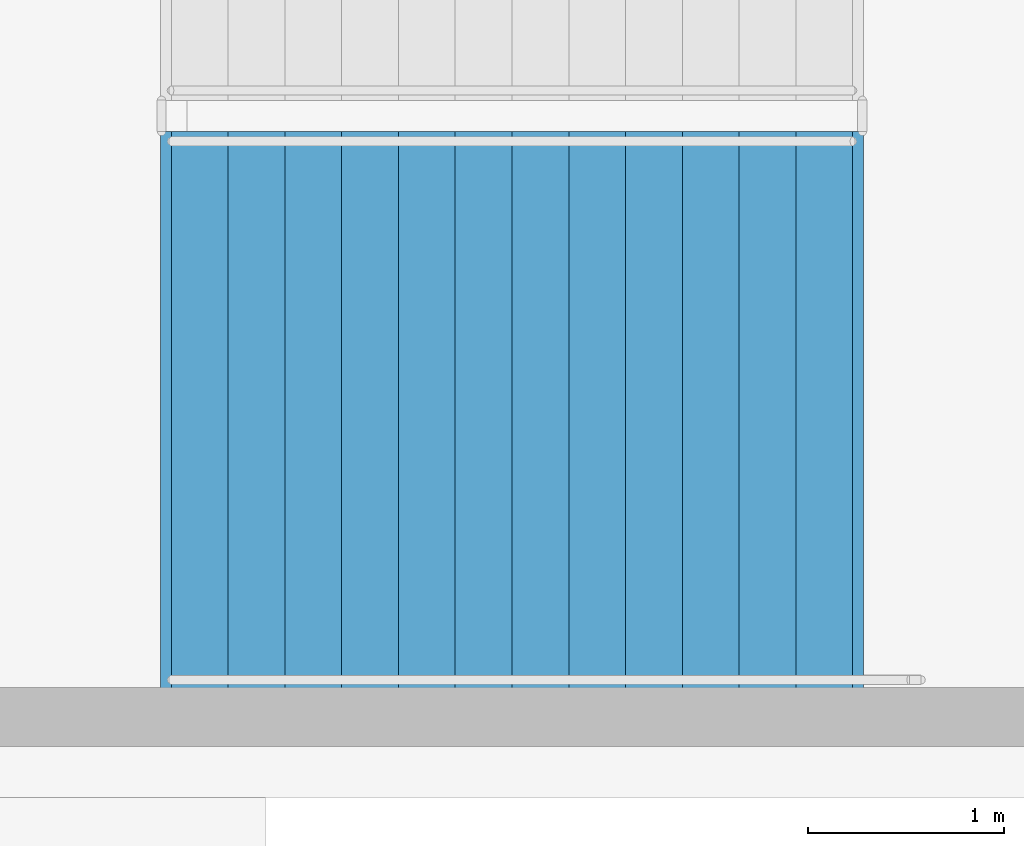
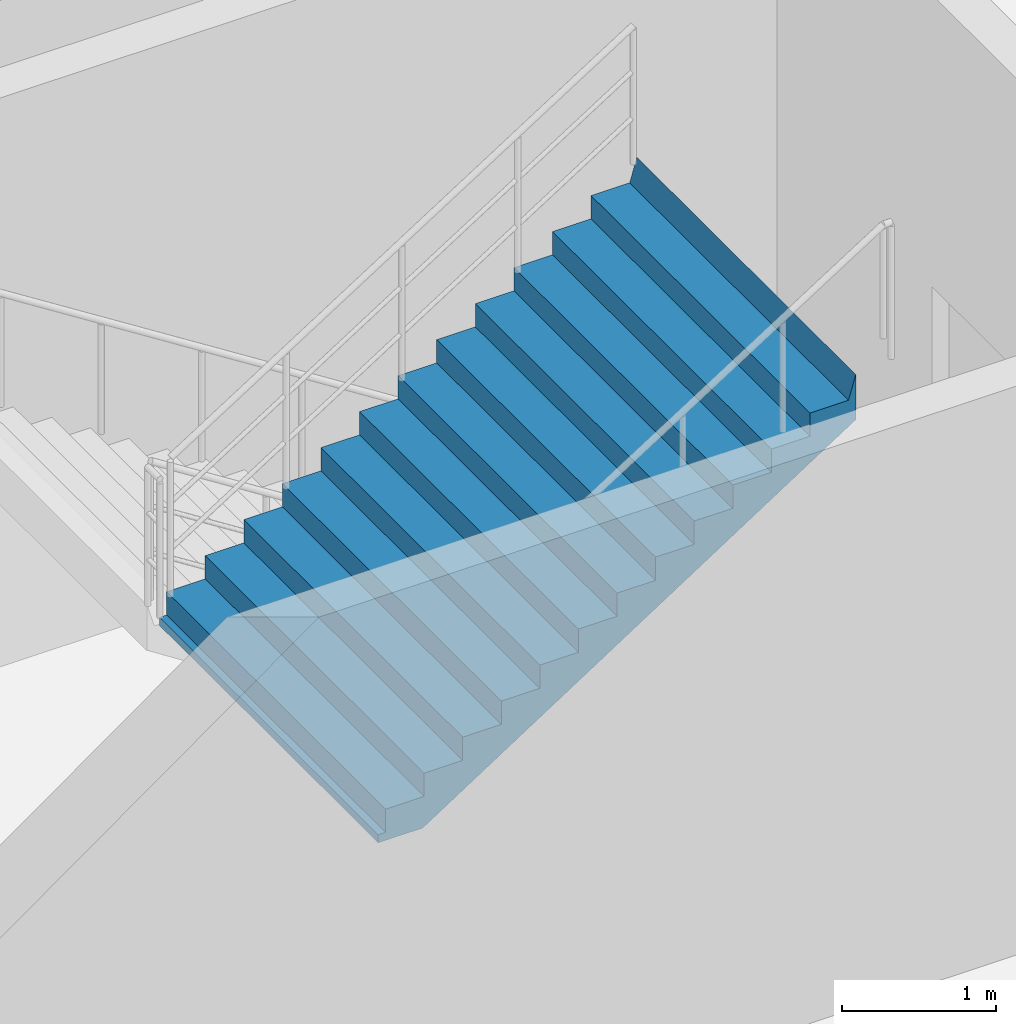
# One storey, part 56 of 68: 1 stair flight, 1 element without a shape of its own.
"""IFC4 building model written with IfcOpenShell, lengths in metres."""

from ifc_helpers import new_model, si_unit, direction, frame, origin, place, context, subcontext, project, spatial, polyline, outline, extrude, material, type_object, element, aggregate, save


model = new_model("IFC4")

# Units and contexts
model_context = context("Model", 3, precision=1e-05, world=origin(), true_north=direction((0.0, 1.0)))
body_context = subcontext(model_context, "Body", "Model", "MODEL_VIEW")
ifc_project = project(units=[si_unit("LENGTHUNIT", "METRE"), si_unit("AREAUNIT", "SQUARE_METRE"), si_unit("VOLUMEUNIT", "CUBIC_METRE"), si_unit("PLANEANGLEUNIT", "RADIAN"), si_unit("MASSUNIT", "GRAM", prefix="KILO")], contexts=[model_context])

# Site, building, storey
site_placement = place(None, origin())
site = spatial("IfcSite", under=ifc_project, at=site_placement, CompositionType="ELEMENT")
building_placement = place(site_placement, origin())
building = spatial("IfcBuilding", under=site, at=building_placement, Name="Cinderbank Siding Concert Hall", CompositionType="ELEMENT")
storey_placement = place(building_placement, frame((0.0, 0.0, -4.800048828125)))
storey = spatial("IfcBuildingStorey", under=building, at=storey_placement, Name="B1", CompositionType="ELEMENT", Elevation=-4.800048828125)

# Stair, stair flight
ifc_material = material(Name="Reinforced concrete AS 3600 N50 (50 MPa)", Category="concrete")
stair_type = type_object("IfcStairType", Name="STR-J Dogleg Exit Stair 2850mm", PredefinedType="HALF_TURN_STAIR", material=ifc_material)
stair_placement = place(storey_placement, origin())
stair = element("IfcStair", 1, at=stair_placement, inside=storey, type_object=stair_type, Name="B1 East Link South Exit Stair ST-12", PredefinedType="HALF_TURN_STAIR")
stair_flight_type = type_object("IfcStairFlightType", Name="SFL-J Concrete Stair Flight 2850mm", PredefinedType="STRAIGHT", material=ifc_material)
stair_flight_placement = place(storey_placement, frame((157.3701171875, 60.27490234375, 2.400146484375), z_axis=(0.0, 0.0, 1.0), x_axis=(1.0, 0.0, 0.0)))
stair_flight = element("IfcStairFlight", 2, at=stair_flight_placement, type_object=stair_flight_type, Name="ST-12 flight 2", NumberOfRisers=13, NumberOfTreads=12, PredefinedType="STRAIGHT", RiserHeight=0.184615385, TreadLength=0.29, context=body_context, shape_type="SweptSolid", body=[
    extrude(outline(polyline([(0.0, 0.0), (0.0, 0.1845703125), (0.2900390625, 0.1845703125), (0.2900390625, 0.369140625), (0.580078125, 0.369140625), (0.580078125, 0.553955078125), (0.8701171875, 0.553955078125), (0.8701171875, 0.738525390625), (1.159912109375, 0.738525390625), (1.159912109375, 0.923095703125), (1.449951171875, 0.923095703125), (1.449951171875, 1.107666015625), (1.739990234375, 1.107666015625), (1.739990234375, 1.292236328125), (2.030029296875, 1.292236328125), (2.030029296875, 1.476806640625), (2.320068359375, 1.476806640625), (2.320068359375, 1.66162109375), (2.610107421875, 1.66162109375), (2.610107421875, 1.84619140625), (2.89990234375, 1.84619140625), (2.89990234375, 2.03076171875), (3.18994140625, 2.03076171875), (3.18994140625, 2.21533203125), (3.47998046875, 2.21533203125), (3.534912109375, 2.39990234375), (3.534912109375, 2.03759765625), (3.53466796875, 2.037841796875), (3.53466796875, 2.0380859375), (3.53466796875, 2.038330078125), (3.53466796875, 2.03857421875), (3.53466796875, 2.038818359375), (3.53466796875, 2.0390625), (3.53466796875, 2.039306640625), (3.53466796875, 2.03955078125), (3.53466796875, 2.039794921875), (3.53466796875, 2.0400390625), (3.53466796875, 2.040283203125), (3.53466796875, 2.04052734375), (3.534423828125, 2.04052734375), (3.534423828125, 2.040283203125), (3.534423828125, 2.0400390625), (3.534423828125, 2.039794921875), (3.534423828125, 2.03955078125), (3.534423828125, 2.039306640625), (3.534423828125, 2.0390625), (3.534423828125, 2.038818359375), (3.534423828125, 2.03857421875), (3.534423828125, 2.038330078125), (3.534423828125, 2.0380859375), (3.534423828125, 2.037841796875), (3.534423828125, 2.03759765625), (3.5341796875, 2.037841796875), (3.5341796875, 2.0380859375), (3.5341796875, 2.038330078125), (3.5341796875, 2.03857421875), (3.5341796875, 2.038818359375), (3.5341796875, 2.0390625), (3.5341796875, 2.039306640625), (3.5341796875, 2.03955078125), (3.5341796875, 2.039794921875), (3.5341796875, 2.0400390625), (3.5341796875, 2.040283203125), (3.5341796875, 2.04052734375), (3.533935546875, 2.04052734375), (3.533935546875, 2.040283203125), (3.533935546875, 2.0400390625), (3.533935546875, 2.039794921875), (3.533935546875, 2.03955078125), (3.533935546875, 2.039306640625), (3.533935546875, 2.0390625), (3.533935546875, 2.038818359375), (3.533935546875, 2.03857421875), (3.533935546875, 2.038330078125), (3.533935546875, 2.0380859375), (3.533935546875, 2.037841796875), (3.533935546875, 2.03759765625), (3.53369140625, 2.037841796875), (3.53369140625, 2.0380859375), (3.53369140625, 2.038330078125), (3.53369140625, 2.03857421875), (3.53369140625, 2.038818359375), (3.53369140625, 2.0390625), (3.53369140625, 2.039306640625), (3.53369140625, 2.03955078125), (3.53369140625, 2.039794921875), (3.53369140625, 2.0400390625), (3.53369140625, 2.040283203125), (3.53369140625, 2.04052734375), (3.533447265625, 2.04052734375), (3.533447265625, 2.040283203125), (3.533447265625, 2.0400390625), (3.533447265625, 2.039794921875), (3.533447265625, 2.03955078125), (3.533447265625, 2.039306640625), (3.533447265625, 2.0390625), (3.533447265625, 2.038818359375), (3.533447265625, 2.03857421875), (3.533447265625, 2.038330078125), (3.533447265625, 2.0380859375), (3.533447265625, 2.037841796875), (3.533447265625, 2.03759765625), (3.533203125, 2.037841796875), (3.533203125, 2.0380859375), (3.533203125, 2.038330078125), (3.533203125, 2.03857421875), (3.533203125, 2.038818359375), (3.533203125, 2.0390625), (3.533203125, 2.039306640625), (3.533203125, 2.03955078125), (3.533203125, 2.039794921875), (3.533203125, 2.0400390625), (3.533203125, 2.040283203125), (3.533203125, 2.04052734375), (3.532958984375, 2.04052734375), (3.532958984375, 2.040283203125), (3.532958984375, 2.0400390625), (3.532958984375, 2.039794921875), (3.532958984375, 2.03955078125), (3.532958984375, 2.039306640625), (3.532958984375, 2.0390625), (3.532958984375, 2.038818359375), (3.532958984375, 2.03857421875), (3.532958984375, 2.038330078125), (3.532958984375, 2.0380859375), (3.532958984375, 2.037841796875), (3.532958984375, 2.03759765625), (3.53271484375, 2.037841796875), (3.53271484375, 2.0380859375), (3.53271484375, 2.038330078125), (3.53271484375, 2.03857421875), (3.53271484375, 2.038818359375), (3.53271484375, 2.0390625), (3.53271484375, 2.039306640625), (3.53271484375, 2.03955078125), (3.53271484375, 2.039794921875), (3.53271484375, 2.0400390625), (3.53271484375, 2.040283203125), (3.53271484375, 2.04052734375), (3.532470703125, 2.04052734375), (3.532470703125, 2.040283203125), (3.532470703125, 2.0400390625), (3.532470703125, 2.039794921875), (3.532470703125, 2.03955078125), (3.532470703125, 2.039306640625), (3.532470703125, 2.0390625), (3.532470703125, 2.038818359375), (3.532470703125, 2.03857421875), (3.532470703125, 2.038330078125), (3.532470703125, 2.0380859375), (3.532470703125, 2.037841796875), (3.532470703125, 2.03759765625), (3.5322265625, 2.037841796875), (3.5322265625, 2.0380859375), (3.5322265625, 2.038330078125), (3.5322265625, 2.03857421875), (3.5322265625, 2.038818359375), (3.5322265625, 2.0390625), (3.5322265625, 2.039306640625), (3.5322265625, 2.03955078125), (3.5322265625, 2.039794921875), (3.5322265625, 2.0400390625), (3.5322265625, 2.040283203125), (3.5322265625, 2.04052734375), (3.531982421875, 2.04052734375), (3.531982421875, 2.040283203125), (3.531982421875, 2.0400390625), (3.531982421875, 2.039794921875), (3.531982421875, 2.03955078125), (3.531982421875, 2.039306640625), (3.531982421875, 2.0390625), (3.531982421875, 2.038818359375), (3.531982421875, 2.03857421875), (3.531982421875, 2.038330078125), (3.531982421875, 2.0380859375), (3.531982421875, 2.037841796875), (3.531982421875, 2.03759765625), (3.53173828125, 2.037841796875), (3.53173828125, 2.0380859375), (3.53173828125, 2.038330078125), (3.53173828125, 2.03857421875), (3.53173828125, 2.038818359375), (3.53173828125, 2.0390625), (3.53173828125, 2.039306640625), (3.53173828125, 2.03955078125), (3.53173828125, 2.039794921875), (3.53173828125, 2.0400390625), (3.53173828125, 2.040283203125), (3.53173828125, 2.04052734375), (3.531494140625, 2.04052734375), (3.531494140625, 2.040283203125), (3.531494140625, 2.0400390625), (3.531494140625, 2.039794921875), (3.531494140625, 2.03955078125), (3.531494140625, 2.039306640625), (3.531494140625, 2.0390625), (3.531494140625, 2.038818359375), (3.531494140625, 2.03857421875), (3.531494140625, 2.038330078125), (3.531494140625, 2.0380859375), (3.531494140625, 2.037841796875), (3.531494140625, 2.03759765625), (3.53125, 2.037841796875), (3.53125, 2.0380859375), (3.53125, 2.038330078125), (3.53125, 2.03857421875), (3.53125, 2.038818359375), (3.53125, 2.0390625), (3.53125, 2.039306640625), (3.53125, 2.03955078125), (3.53125, 2.039794921875), (3.53125, 2.0400390625), (3.53125, 2.040283203125), (3.53125, 2.04052734375), (3.531005859375, 2.04052734375), (3.531005859375, 2.040283203125), (3.531005859375, 2.0400390625), (3.531005859375, 2.039794921875), (3.531005859375, 2.03955078125), (3.531005859375, 2.039306640625), (3.531005859375, 2.0390625), (3.531005859375, 2.038818359375), (3.531005859375, 2.03857421875), (3.531005859375, 2.038330078125), (3.531005859375, 2.0380859375), (3.531005859375, 2.037841796875), (3.531005859375, 2.03759765625), (3.53076171875, 2.037841796875), (3.53076171875, 2.0380859375), (3.53076171875, 2.038330078125), (3.53076171875, 2.03857421875), (3.53076171875, 2.038818359375), (3.53076171875, 2.0390625), (3.53076171875, 2.039306640625), (3.53076171875, 2.03955078125), (3.53076171875, 2.039794921875), (3.53076171875, 2.0400390625), (3.53076171875, 2.040283203125), (3.53076171875, 2.04052734375), (3.530517578125, 2.04052734375), (3.530517578125, 2.040283203125), (3.530517578125, 2.0400390625), (3.530517578125, 2.039794921875), (3.530517578125, 2.03955078125), (3.530517578125, 2.039306640625), (3.530517578125, 2.0390625), (3.530517578125, 2.038818359375), (3.530517578125, 2.03857421875), (3.530517578125, 2.038330078125), (3.530517578125, 2.0380859375), (3.530517578125, 2.037841796875), (3.530517578125, 2.03759765625), (3.5302734375, 2.037841796875), (3.5302734375, 2.0380859375), (3.5302734375, 2.038330078125), (3.5302734375, 2.03857421875), (3.5302734375, 2.038818359375), (3.5302734375, 2.0390625), (3.5302734375, 2.039306640625), (3.5302734375, 2.03955078125), (3.5302734375, 2.039794921875), (3.5302734375, 2.0400390625), (3.5302734375, 2.040283203125), (3.5302734375, 2.04052734375), (3.530029296875, 2.04052734375), (3.530029296875, 2.040283203125), (3.530029296875, 2.0400390625), (3.530029296875, 2.039794921875), (3.530029296875, 2.03955078125), (3.530029296875, 2.039306640625), (3.530029296875, 2.0390625), (3.530029296875, 2.038818359375), (3.530029296875, 2.03857421875), (3.530029296875, 2.038330078125), (3.530029296875, 2.0380859375), (3.530029296875, 2.037841796875), (3.530029296875, 2.03759765625), (3.52978515625, 2.037841796875), (3.52978515625, 2.0380859375), (3.52978515625, 2.038330078125), (3.52978515625, 2.03857421875), (3.52978515625, 2.038818359375), (3.52978515625, 2.0390625), (3.52978515625, 2.039306640625), (3.52978515625, 2.03955078125), (3.52978515625, 2.039794921875), (3.52978515625, 2.0400390625), (3.52978515625, 2.040283203125), (3.52978515625, 2.04052734375), (3.529541015625, 2.04052734375), (3.529541015625, 2.040283203125), (3.529541015625, 2.0400390625), (3.529541015625, 2.039794921875), (3.529541015625, 2.03955078125), (3.529541015625, 2.039306640625), (3.529541015625, 2.0390625), (3.529541015625, 2.038818359375), (3.529541015625, 2.03857421875), (3.529541015625, 2.038330078125), (3.529541015625, 2.0380859375), (3.529541015625, 2.037841796875), (3.529541015625, 2.03759765625), (3.529296875, 2.037841796875), (3.529296875, 2.0380859375), (3.529296875, 2.038330078125), (3.529296875, 2.03857421875), (3.529296875, 2.038818359375), (3.529296875, 2.0390625), (3.529296875, 2.039306640625), (3.529296875, 2.03955078125), (3.529296875, 2.039794921875), (3.529296875, 2.0400390625), (3.529296875, 2.040283203125), (3.529296875, 2.04052734375), (3.529052734375, 2.04052734375), (3.529052734375, 2.040283203125), (3.529052734375, 2.0400390625), (3.529052734375, 2.039794921875), (3.529052734375, 2.03955078125), (3.529052734375, 2.039306640625), (3.529052734375, 2.0390625), (3.529052734375, 2.038818359375), (3.529052734375, 2.03857421875), (3.529052734375, 2.038330078125), (3.529052734375, 2.0380859375), (3.529052734375, 2.037841796875), (3.529052734375, 2.03759765625), (3.52880859375, 2.037841796875), (3.52880859375, 2.0380859375), (3.52880859375, 2.038330078125), (3.52880859375, 2.03857421875), (3.52880859375, 2.038818359375), (3.52880859375, 2.0390625), (3.52880859375, 2.039306640625), (3.52880859375, 2.03955078125), (3.52880859375, 2.039794921875), (3.52880859375, 2.0400390625), (3.52880859375, 2.040283203125), (3.52880859375, 2.04052734375), (3.528564453125, 2.04052734375), (3.528564453125, 2.040283203125), (3.528564453125, 2.0400390625), (3.528564453125, 2.039794921875), (3.528564453125, 2.03955078125), (3.528564453125, 2.039306640625), (3.528564453125, 2.0390625), (3.528564453125, 2.038818359375), (3.528564453125, 2.03857421875), (3.528564453125, 2.038330078125), (3.528564453125, 2.0380859375), (3.528564453125, 2.037841796875), (3.528564453125, 2.03759765625), (0.279052734375, -0.06396484375), (-0.048583984375, -0.063720703125), (-0.048583984375, -0.0634765625), (-0.048583984375, -0.063232421875), (-0.048583984375, -0.06298828125), (-0.048583984375, -0.062744140625), (-0.048583984375, -0.0625), (-0.048583984375, -0.062255859375), (-0.048583984375, -0.06201171875), (-0.048583984375, -0.061767578125), (-0.048583984375, -0.0615234375), (-0.048583984375, -0.061279296875), (-0.048583984375, -0.06103515625), (-0.048828125, -0.06103515625), (-0.048828125, -0.061279296875), (-0.048828125, -0.0615234375), (-0.048828125, -0.061767578125), (-0.048828125, -0.06201171875), (-0.048828125, -0.062255859375), (-0.048828125, -0.0625), (-0.048828125, -0.062744140625), (-0.048828125, -0.06298828125), (-0.048828125, -0.063232421875), (-0.048828125, -0.0634765625), (-0.048828125, -0.063720703125), (-0.048828125, -0.06396484375), (-0.049072265625, -0.063720703125), (-0.049072265625, -0.0634765625), (-0.049072265625, -0.063232421875), (-0.049072265625, -0.06298828125), (-0.049072265625, -0.062744140625), (-0.049072265625, -0.0625), (-0.049072265625, -0.062255859375), (-0.049072265625, -0.06201171875), (-0.049072265625, -0.061767578125), (-0.049072265625, -0.0615234375), (-0.049072265625, -0.061279296875), (-0.049072265625, -0.06103515625), (-0.04931640625, -0.06103515625), (-0.04931640625, -0.061279296875), (-0.04931640625, -0.0615234375), (-0.04931640625, -0.061767578125), (-0.04931640625, -0.06201171875), (-0.04931640625, -0.062255859375), (-0.04931640625, -0.0625), (-0.04931640625, -0.062744140625), (-0.04931640625, -0.06298828125), (-0.04931640625, -0.063232421875), (-0.04931640625, -0.0634765625), (-0.04931640625, -0.063720703125), (-0.04931640625, -0.06396484375), (-0.049560546875, -0.063720703125), (-0.049560546875, -0.0634765625), (-0.049560546875, -0.063232421875), (-0.049560546875, -0.06298828125), (-0.049560546875, -0.062744140625), (-0.049560546875, -0.0625), (-0.049560546875, -0.062255859375), (-0.049560546875, -0.06201171875), (-0.049560546875, -0.061767578125), (-0.049560546875, -0.0615234375), (-0.049560546875, -0.061279296875), (-0.049560546875, -0.06103515625), (-0.0498046875, -0.06103515625), (-0.0498046875, -0.061279296875), (-0.0498046875, -0.0615234375), (-0.0498046875, -0.061767578125), (-0.0498046875, -0.06201171875), (-0.0498046875, -0.062255859375), (-0.0498046875, -0.0625), (-0.0498046875, -0.062744140625), (-0.0498046875, -0.06298828125), (-0.0498046875, -0.063232421875), (-0.0498046875, -0.0634765625), (-0.0498046875, -0.063720703125), (-0.0498046875, -0.06396484375), (-0.050048828125, -0.063720703125), (-0.050048828125, -0.0634765625), (-0.050048828125, -0.063232421875), (-0.050048828125, -0.06298828125), (-0.050048828125, -0.062744140625), (-0.050048828125, -0.0625), (-0.050048828125, -0.062255859375), (-0.050048828125, -0.06201171875), (-0.050048828125, -0.061767578125), (-0.050048828125, -0.0615234375), (-0.050048828125, -0.061279296875), (-0.050048828125, -0.06103515625), (-0.05029296875, -0.06103515625), (-0.05029296875, -0.061279296875), (-0.05029296875, -0.0615234375), (-0.05029296875, -0.061767578125), (-0.05029296875, -0.06201171875), (-0.05029296875, -0.062255859375), (-0.05029296875, -0.0625), (-0.05029296875, -0.062744140625), (-0.05029296875, -0.06298828125), (-0.05029296875, -0.063232421875), (-0.05029296875, -0.0634765625), (-0.05029296875, -0.063720703125), (-0.05029296875, -0.06396484375), (-0.050537109375, -0.063720703125), (-0.050537109375, -0.0634765625), (-0.050537109375, -0.063232421875), (-0.050537109375, -0.06298828125), (-0.050537109375, -0.062744140625), (-0.050537109375, -0.0625), (-0.050537109375, -0.062255859375), (-0.050537109375, -0.06201171875), (-0.050537109375, -0.061767578125), (-0.050537109375, -0.0615234375), (-0.050537109375, -0.061279296875), (-0.050537109375, -0.06103515625), (-0.05078125, -0.06103515625), (-0.05078125, -0.061279296875), (-0.05078125, -0.0615234375), (-0.05078125, -0.061767578125), (-0.05078125, -0.06201171875), (-0.05078125, -0.062255859375), (-0.05078125, -0.0625), (-0.05078125, -0.062744140625), (-0.05078125, -0.06298828125), (-0.05078125, -0.063232421875), (-0.05078125, -0.0634765625), (-0.05078125, -0.063720703125), (-0.05078125, -0.06396484375), (-0.051025390625, -0.063720703125), (-0.051025390625, -0.0634765625), (-0.051025390625, -0.063232421875), (-0.051025390625, -0.06298828125), (-0.051025390625, -0.062744140625), (-0.051025390625, -0.0625), (-0.051025390625, -0.062255859375), (-0.051025390625, -0.06201171875), (-0.051025390625, -0.061767578125), (-0.051025390625, -0.0615234375), (-0.051025390625, -0.061279296875), (-0.051025390625, -0.06103515625), (-0.05126953125, -0.06103515625), (-0.05126953125, -0.061279296875), (-0.05126953125, -0.0615234375), (-0.05126953125, -0.061767578125), (-0.05126953125, -0.06201171875), (-0.05126953125, -0.062255859375), (-0.05126953125, -0.0625), (-0.05126953125, -0.062744140625), (-0.05126953125, -0.06298828125), (-0.05126953125, -0.063232421875), (-0.05126953125, -0.0634765625), (-0.05126953125, -0.063720703125), (-0.05126953125, -0.06396484375), (-0.051513671875, -0.063720703125), (-0.051513671875, -0.0634765625), (-0.051513671875, -0.063232421875), (-0.051513671875, -0.06298828125), (-0.051513671875, -0.062744140625), (-0.051513671875, -0.0625), (-0.051513671875, -0.062255859375), (-0.051513671875, -0.06201171875), (-0.051513671875, -0.061767578125), (-0.051513671875, -0.0615234375), (-0.051513671875, -0.061279296875), (-0.051513671875, -0.06103515625), (-0.0517578125, -0.06103515625), (-0.0517578125, -0.061279296875), (-0.0517578125, -0.0615234375), (-0.0517578125, -0.061767578125), (-0.0517578125, -0.06201171875), (-0.0517578125, -0.062255859375), (-0.0517578125, -0.0625), (-0.0517578125, -0.062744140625), (-0.0517578125, -0.06298828125), (-0.0517578125, -0.063232421875), (-0.0517578125, -0.0634765625), (-0.0517578125, -0.063720703125), (-0.0517578125, -0.06396484375), (-0.052001953125, -0.063720703125), (-0.052001953125, -0.0634765625), (-0.052001953125, -0.063232421875), (-0.052001953125, -0.06298828125), (-0.052001953125, -0.062744140625), (-0.052001953125, -0.0625), (-0.052001953125, -0.062255859375), (-0.052001953125, -0.06201171875), (-0.052001953125, -0.061767578125), (-0.052001953125, -0.0615234375), (-0.052001953125, -0.061279296875), (-0.052001953125, -0.06103515625), (-0.05224609375, -0.06103515625), (-0.05224609375, -0.061279296875), (-0.05224609375, -0.0615234375), (-0.05224609375, -0.061767578125), (-0.05224609375, -0.06201171875), (-0.05224609375, -0.062255859375), (-0.05224609375, -0.0625), (-0.05224609375, -0.062744140625), (-0.05224609375, -0.06298828125), (-0.05224609375, -0.063232421875), (-0.05224609375, -0.0634765625), (-0.05224609375, -0.063720703125), (-0.05224609375, -0.06396484375), (-0.052490234375, -0.063720703125), (-0.052490234375, -0.0634765625), (-0.052490234375, -0.063232421875), (-0.052490234375, -0.06298828125), (-0.052490234375, -0.062744140625), (-0.052490234375, -0.0625), (-0.052490234375, -0.062255859375), (-0.052490234375, -0.06201171875), (-0.052490234375, -0.061767578125), (-0.052490234375, -0.0615234375), (-0.052490234375, -0.061279296875), (-0.052490234375, -0.06103515625), (-0.052734375, -0.06103515625), (-0.052734375, -0.061279296875), (-0.052734375, -0.0615234375), (-0.052734375, -0.061767578125), (-0.052734375, -0.06201171875), (-0.052734375, -0.062255859375), (-0.052734375, -0.0625), (-0.052734375, -0.062744140625), (-0.052734375, -0.06298828125), (-0.052734375, -0.063232421875), (-0.052734375, -0.0634765625), (-0.052734375, -0.063720703125), (-0.052734375, -0.06396484375), (-0.052978515625, -0.063720703125), (-0.052978515625, -0.0634765625), (-0.052978515625, -0.063232421875), (-0.052978515625, -0.06298828125), (-0.052978515625, -0.062744140625), (-0.052978515625, -0.0625), (-0.052978515625, -0.062255859375), (-0.052978515625, -0.06201171875), (-0.052978515625, -0.061767578125), (-0.052978515625, -0.0615234375), (-0.052978515625, -0.061279296875), (-0.052978515625, -0.06103515625), (-0.05322265625, -0.06103515625), (-0.05322265625, -0.061279296875), (-0.05322265625, -0.0615234375), (-0.05322265625, -0.061767578125), (-0.05322265625, -0.06201171875), (-0.05322265625, -0.062255859375), (-0.05322265625, -0.0625), (-0.05322265625, -0.062744140625), (-0.05322265625, -0.06298828125), (-0.05322265625, -0.063232421875), (-0.05322265625, -0.0634765625), (-0.05322265625, -0.063720703125), (-0.05322265625, -0.06396484375), (-0.053466796875, -0.063720703125), (-0.053466796875, -0.0634765625), (-0.053466796875, -0.063232421875), (-0.053466796875, -0.06298828125), (-0.053466796875, -0.062744140625), (-0.053466796875, -0.0625), (-0.053466796875, -0.062255859375), (-0.053466796875, -0.06201171875), (-0.053466796875, -0.061767578125), (-0.053466796875, -0.0615234375), (-0.053466796875, -0.061279296875), (-0.053466796875, -0.06103515625), (-0.0537109375, -0.06103515625), (-0.0537109375, -0.061279296875), (-0.0537109375, -0.0615234375), (-0.0537109375, -0.061767578125), (-0.0537109375, -0.06201171875), (-0.0537109375, -0.062255859375), (-0.0537109375, -0.0625), (-0.0537109375, -0.062744140625), (-0.0537109375, -0.06298828125), (-0.0537109375, -0.063232421875), (-0.0537109375, -0.0634765625), (-0.0537109375, -0.063720703125), (-0.0537109375, -0.06396484375), (-0.053955078125, -0.063720703125), (-0.053955078125, -0.0634765625), (-0.053955078125, -0.063232421875), (-0.053955078125, -0.06298828125), (-0.053955078125, -0.062744140625), (-0.053955078125, -0.0625), (-0.053955078125, -0.062255859375), (-0.053955078125, -0.06201171875), (-0.053955078125, -0.061767578125), (-0.053955078125, -0.0615234375), (-0.053955078125, -0.061279296875), (-0.053955078125, -0.06103515625), (-0.05419921875, -0.06103515625), (-0.05419921875, -0.061279296875), (-0.05419921875, -0.0615234375), (-0.05419921875, -0.061767578125), (-0.05419921875, -0.06201171875), (-0.05419921875, -0.062255859375), (-0.05419921875, -0.0625), (-0.05419921875, -0.062744140625), (-0.05419921875, -0.06298828125), (-0.05419921875, -0.063232421875), (-0.05419921875, -0.0634765625), (-0.05419921875, -0.063720703125), (-0.05419921875, -0.06396484375), (-0.054443359375, -0.063720703125), (-0.054443359375, -0.0634765625), (-0.054443359375, -0.063232421875), (-0.054443359375, -0.06298828125), (-0.054443359375, -0.062744140625), (-0.054443359375, -0.0625), (-0.054443359375, -0.062255859375), (-0.054443359375, -0.06201171875), (-0.054443359375, -0.061767578125), (-0.054443359375, -0.0615234375), (-0.054443359375, -0.061279296875), (-0.054443359375, -0.06103515625), (-0.0546875, -0.06103515625), (-0.0546875, -0.061279296875), (-0.0546875, -0.0615234375), (-0.0546875, -0.061767578125), (-0.0546875, -0.06201171875), (-0.0546875, -0.062255859375), (-0.0546875, -0.0625), (-0.0546875, -0.062744140625), (-0.0546875, -0.06298828125), (-0.0546875, -0.063232421875), (-0.0546875, -0.0634765625), (-0.0546875, -0.063720703125), (-0.0546875, -0.06396484375), (-0.054931640625, -0.06396484375), (-0.054931640625, 0.0), (0.0, 0.0)])), frame((0.0, 1.425048828125, 0.0), z_axis=(0.0, -1.0, 0.0), x_axis=(1.0, 0.0, 0.0)), (0.0, 0.0, 1.0), 2.85009765625),
])
aggregate(stair, [stair_flight])

save(model, "model.ifc")
